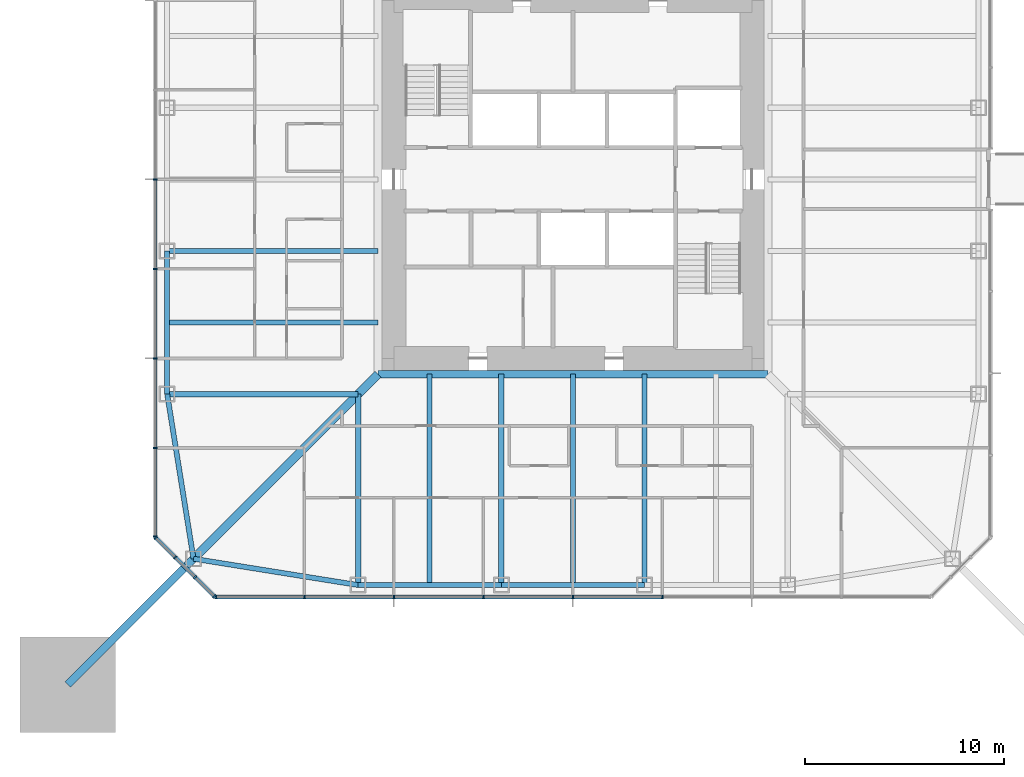
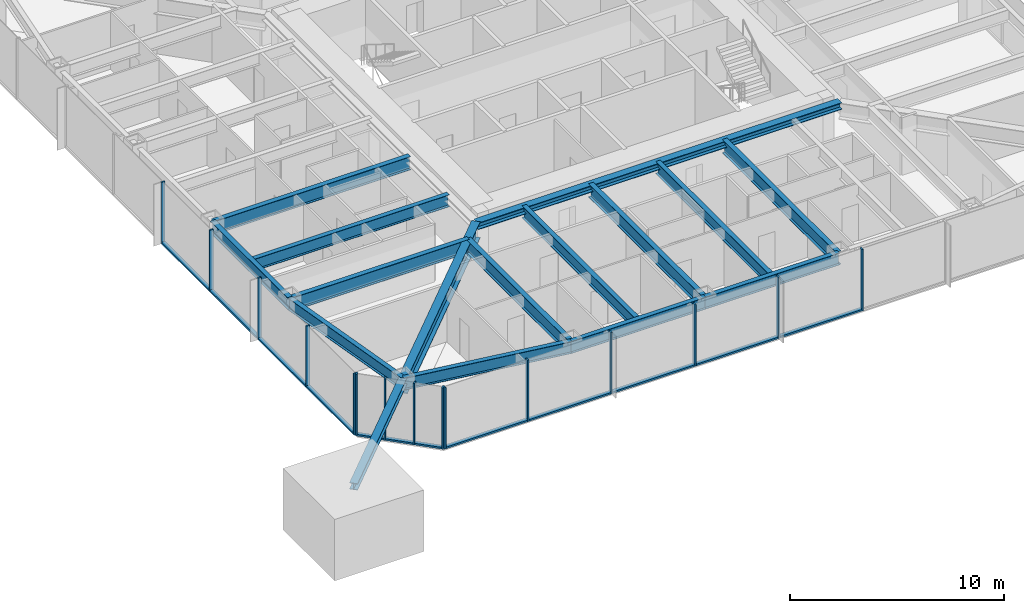
# One storey, part 3 of 23: 28 members, 15 beams, 3 elements without a shape of their own.
"""IFC4 building model written with IfcOpenShell, lengths in metres."""

from ifc_helpers import new_model, si_unit, direction, frame, origin, origin_2d, place, context, subcontext, project, spatial, rectangle, i_section, extrude, material, material_profile, profile_set, type_object, element, aggregate, save


model = new_model("IFC4")

# Units and contexts
model_context = context("Model", 3, precision=1e-05, world=origin(), true_north=direction((0.0, 1.0)))
body_context = subcontext(model_context, "Body", "Model", "MODEL_VIEW")
ifc_project = project(units=[si_unit("LENGTHUNIT", "METRE"), si_unit("AREAUNIT", "SQUARE_METRE"), si_unit("VOLUMEUNIT", "CUBIC_METRE"), si_unit("PLANEANGLEUNIT", "RADIAN"), si_unit("MASSUNIT", "GRAM", prefix="KILO")], contexts=[model_context])

# Site, building, storey
site_placement = place(None, origin())
site = spatial("IfcSite", under=ifc_project, at=site_placement, CompositionType="ELEMENT")
building_placement = place(site_placement, origin())
building = spatial("IfcBuilding", under=site, at=building_placement, Name="Iwan Alto Co-Living Towers", CompositionType="ELEMENT")
storey_placement = place(building_placement, frame((0.0, 0.0, 129.5)))
storey = spatial("IfcBuildingStorey", under=building, at=storey_placement, Name="L35", CompositionType="ELEMENT", Elevation=129.5)

# Curtain wall, members
ifc_material_1 = material(Name="Bronze aluminium unitised frame", Category="aluminium")
curtain_wall_type_1 = type_object("IfcCurtainWallType", Name="CURTAIN WALL CW-A", PredefinedType="NOTDEFINED", material=ifc_material_1)
curtain_wall_1_placement = place(storey_placement, origin())
curtain_wall_1 = element("IfcCurtainWall", 1, at=curtain_wall_1_placement, inside=storey, type_object=curtain_wall_type_1, Name="T1 curtain wall S L35", PredefinedType="NOTDEFINED")
ifc_material_2 = material(Name="Aluminium 6063-T6 bronze anodised", Category="aluminium")
ifc_material_profile_1 = material_profile(ifc_material_2, rectangle(XDim=0.199951171875, YDim=0.080078125, at=origin_2d()), Name="AL 80X200")
ifc_profile_set_1 = profile_set([ifc_material_profile_1], Name="Aluminium 6063-T6 bronze anodised")
member_type_1 = type_object("IfcMemberType", Name="CW-A MULLION 80X200", PredefinedType="MULLION", material=ifc_profile_set_1)
member_1_placement = place(storey_placement, frame((-17.9599609375, -21.0, 0.0), z_axis=(0.0, 0.0, 1.0), x_axis=(0.0, 1.0, 0.0)))
member_1 = element("IfcMember", 2, at=member_1_placement, type_object=member_type_1, Name="CW-A mullion 1", PredefinedType="MULLION", context=body_context, shape_type="SweptSolid", body=[
    extrude(rectangle(XDim=0.199951171875, YDim=0.080078125, at=origin_2d()), origin(), (0.0, 0.0, 1.0), 3.5),
])
member_2_placement = place(storey_placement, frame((-13.5, -21.0, 0.0), z_axis=(0.0, 0.0, 1.0), x_axis=(0.0, 1.0, 0.0)))
member_2 = element("IfcMember", 3, at=member_2_placement, type_object=member_type_1, Name="CW-A mullion 2", PredefinedType="MULLION", context=body_context, shape_type="SweptSolid", body=[
    extrude(rectangle(XDim=0.199951171875, YDim=0.080078125, at=origin_2d()), origin(), (0.0, 0.0, 1.0), 3.5),
])
member_3_placement = place(storey_placement, frame((-9.0, -21.0, 0.0), z_axis=(0.0, 0.0, 1.0), x_axis=(0.0, 1.0, 0.0)))
member_3 = element("IfcMember", 4, at=member_3_placement, type_object=member_type_1, Name="CW-A mullion 3", PredefinedType="MULLION", context=body_context, shape_type="SweptSolid", body=[
    extrude(rectangle(XDim=0.199951171875, YDim=0.080078125, at=origin_2d()), origin(), (0.0, 0.0, 1.0), 3.5),
])
member_4_placement = place(storey_placement, frame((-4.5, -21.0, 0.0), z_axis=(0.0, 0.0, 1.0), x_axis=(0.0, 1.0, 0.0)))
member_4 = element("IfcMember", 5, at=member_4_placement, type_object=member_type_1, Name="CW-A mullion 4", PredefinedType="MULLION", context=body_context, shape_type="SweptSolid", body=[
    extrude(rectangle(XDim=0.199951171875, YDim=0.080078125, at=origin_2d()), origin(), (0.0, 0.0, 1.0), 3.5),
])
member_5_placement = place(storey_placement, frame((0.0, -21.0, 0.0), z_axis=(0.0, 0.0, 1.0), x_axis=(0.0, 1.0, 0.0)))
member_5 = element("IfcMember", 6, at=member_5_placement, type_object=member_type_1, Name="CW-A mullion 5", PredefinedType="MULLION", context=body_context, shape_type="SweptSolid", body=[
    extrude(rectangle(XDim=0.199951171875, YDim=0.080078125, at=origin_2d()), origin(), (0.0, 0.0, 1.0), 3.5),
])
member_6_placement = place(storey_placement, frame((4.5, -21.0, 0.0), z_axis=(0.0, 0.0, 1.0), x_axis=(0.0, 1.0, 0.0)))
member_6 = element("IfcMember", 7, at=member_6_placement, type_object=member_type_1, Name="CW-A mullion 6", PredefinedType="MULLION", context=body_context, shape_type="SweptSolid", body=[
    extrude(rectangle(XDim=0.199951171875, YDim=0.080078125, at=origin_2d()), origin(), (0.0, 0.0, 1.0), 3.5),
])

curtain_wall_2_placement = place(storey_placement, origin())
curtain_wall_2 = element("IfcCurtainWall", 8, at=curtain_wall_2_placement, inside=storey, type_object=curtain_wall_type_1, Name="T1 curtain wall W L35", PredefinedType="NOTDEFINED")
member_7_placement = place(storey_placement, frame((-21.0, 0.0, 0.0), z_axis=(0.0, 0.0, 1.0), x_axis=(1.0, 0.0, 0.0)))
member_7 = element("IfcMember", 9, at=member_7_placement, type_object=member_type_1, Name="CW-A mullion 5", PredefinedType="MULLION", context=body_context, shape_type="SweptSolid", body=[
    extrude(rectangle(XDim=0.199951171875, YDim=0.080078125, at=origin_2d()), origin(), (0.0, 0.0, 1.0), 3.5),
])
member_8_placement = place(storey_placement, frame((-21.0, -4.5, 0.0), z_axis=(0.0, 0.0, 1.0), x_axis=(1.0, 0.0, 0.0)))
member_8 = element("IfcMember", 10, at=member_8_placement, type_object=member_type_1, Name="CW-A mullion 6", PredefinedType="MULLION", context=body_context, shape_type="SweptSolid", body=[
    extrude(rectangle(XDim=0.199951171875, YDim=0.080078125, at=origin_2d()), origin(), (0.0, 0.0, 1.0), 3.5),
])
member_9_placement = place(storey_placement, frame((-21.0, -9.0, 0.0), z_axis=(0.0, 0.0, 1.0), x_axis=(1.0, 0.0, 0.0)))
member_9 = element("IfcMember", 11, at=member_9_placement, type_object=member_type_1, Name="CW-A mullion 7", PredefinedType="MULLION", context=body_context, shape_type="SweptSolid", body=[
    extrude(rectangle(XDim=0.199951171875, YDim=0.080078125, at=origin_2d()), origin(), (0.0, 0.0, 1.0), 3.5),
])
member_10_placement = place(storey_placement, frame((-21.0, -13.5, 0.0), z_axis=(0.0, 0.0, 1.0), x_axis=(1.0, 0.0, 0.0)))
member_10 = element("IfcMember", 12, at=member_10_placement, type_object=member_type_1, Name="CW-A mullion 8", PredefinedType="MULLION", context=body_context, shape_type="SweptSolid", body=[
    extrude(rectangle(XDim=0.199951171875, YDim=0.080078125, at=origin_2d()), origin(), (0.0, 0.0, 1.0), 3.5),
])
member_11_placement = place(storey_placement, frame((-21.0, -17.9599609375, 0.0), z_axis=(0.0, 0.0, 1.0), x_axis=(1.0, 0.0, 0.0)))
member_11 = element("IfcMember", 13, at=member_11_placement, type_object=member_type_1, Name="CW-A mullion 9", PredefinedType="MULLION", context=body_context, shape_type="SweptSolid", body=[
    extrude(rectangle(XDim=0.199951171875, YDim=0.080078125, at=origin_2d()), origin(), (0.0, 0.0, 1.0), 3.5),
])

# Member
ifc_material_3 = material(Name="Aluminium 6063-T6 bronze anodised", Category="aluminium")
ifc_material_profile_2 = material_profile(ifc_material_3, rectangle(XDim=0.199951171875, YDim=0.10009765625, at=origin_2d()), Name="AL 200X100")
ifc_profile_set_2 = profile_set([ifc_material_profile_2], Name="Aluminium 6063-T6 bronze anodised")
member_type_2 = type_object("IfcMemberType", Name="CW-A TRANSOM 200X100", PredefinedType="USERDEFINED", material=ifc_profile_set_2)
member_12_placement = place(storey_placement, frame((-17.919921875, -21.0, 0.050048828125), z_axis=(1.0, 0.0, 0.0), x_axis=(0.0, 1.0, 0.0)))
member_12 = element("IfcMember", 14, at=member_12_placement, type_object=member_type_2, Name="CW-A transom 1.1", ObjectType="TRANSOM", PredefinedType="USERDEFINED", context=body_context, shape_type="SweptSolid", body=[
    extrude(rectangle(XDim=0.199951171875, YDim=0.10009765625, at=origin_2d()), origin(), (0.0, 0.0, 1.0), 4.3798828125),
])

member_13_placement = place(storey_placement, frame((-13.4599609375, -21.0, 0.050048828125), z_axis=(1.0, 0.0, 0.0), x_axis=(0.0, 1.0, 0.0)))
member_13 = element("IfcMember", 15, at=member_13_placement, type_object=member_type_2, Name="CW-A transom 2.1", ObjectType="TRANSOM", PredefinedType="USERDEFINED", context=body_context, shape_type="SweptSolid", body=[
    extrude(rectangle(XDim=0.199951171875, YDim=0.10009765625, at=origin_2d()), origin(), (0.0, 0.0, 1.0), 4.419921875),
])

member_14_placement = place(storey_placement, frame((-8.9599609375, -21.0, 0.050048828125), z_axis=(1.0, 0.0, 0.0), x_axis=(0.0, 1.0, 0.0)))
member_14 = element("IfcMember", 16, at=member_14_placement, type_object=member_type_2, Name="CW-A transom 3.1", ObjectType="TRANSOM", PredefinedType="USERDEFINED", context=body_context, shape_type="SweptSolid", body=[
    extrude(rectangle(XDim=0.199951171875, YDim=0.10009765625, at=origin_2d()), origin(), (0.0, 0.0, 1.0), 4.419921875),
])

member_15_placement = place(storey_placement, frame((-4.4599609375, -21.0, 0.050048828125), z_axis=(1.0, 0.0, 0.0), x_axis=(0.0, 1.0, 0.0)))
member_15 = element("IfcMember", 17, at=member_15_placement, type_object=member_type_2, Name="CW-A transom 4.1", ObjectType="TRANSOM", PredefinedType="USERDEFINED", context=body_context, shape_type="SweptSolid", body=[
    extrude(rectangle(XDim=0.199951171875, YDim=0.10009765625, at=origin_2d()), origin(), (0.0, 0.0, 1.0), 4.419921875),
])

member_16_placement = place(storey_placement, frame((0.0400390625, -21.0, 0.050048828125), z_axis=(1.0, 0.0, 0.0), x_axis=(0.0, 1.0, 0.0)))
member_16 = element("IfcMember", 18, at=member_16_placement, type_object=member_type_2, Name="CW-A transom 5.1", ObjectType="TRANSOM", PredefinedType="USERDEFINED", context=body_context, shape_type="SweptSolid", body=[
    extrude(rectangle(XDim=0.199951171875, YDim=0.10009765625, at=origin_2d()), origin(), (0.0, 0.0, 1.0), 4.419921875),
])

aggregate(curtain_wall_1, [member_1, member_2, member_3, member_4, member_5, member_6, member_12, member_13, member_14, member_15, member_16])

member_17_placement = place(storey_placement, frame((-21.0, -0.0400390625, 0.050048828125), z_axis=(0.0, -1.0, 0.0), x_axis=(1.0, 0.0, 0.0)))
member_17 = element("IfcMember", 19, at=member_17_placement, type_object=member_type_2, Name="CW-A transom 5.1", ObjectType="TRANSOM", PredefinedType="USERDEFINED", context=body_context, shape_type="SweptSolid", body=[
    extrude(rectangle(XDim=0.199951171875, YDim=0.10009765625, at=origin_2d()), origin(), (0.0, 0.0, 1.0), 4.419921875),
])

member_18_placement = place(storey_placement, frame((-21.0, -4.5400390625, 0.050048828125), z_axis=(0.0, -1.0, 0.0), x_axis=(1.0, 0.0, 0.0)))
member_18 = element("IfcMember", 20, at=member_18_placement, type_object=member_type_2, Name="CW-A transom 6.1", ObjectType="TRANSOM", PredefinedType="USERDEFINED", context=body_context, shape_type="SweptSolid", body=[
    extrude(rectangle(XDim=0.199951171875, YDim=0.10009765625, at=origin_2d()), origin(), (0.0, 0.0, 1.0), 4.419921875),
])

member_19_placement = place(storey_placement, frame((-21.0, -9.0400390625, 0.050048828125), z_axis=(0.0, -1.0, 0.0), x_axis=(1.0, 0.0, 0.0)))
member_19 = element("IfcMember", 21, at=member_19_placement, type_object=member_type_2, Name="CW-A transom 7.1", ObjectType="TRANSOM", PredefinedType="USERDEFINED", context=body_context, shape_type="SweptSolid", body=[
    extrude(rectangle(XDim=0.199951171875, YDim=0.10009765625, at=origin_2d()), origin(), (0.0, 0.0, 1.0), 4.419921875),
])

member_20_placement = place(storey_placement, frame((-21.0, -13.5400390625, 0.050048828125), z_axis=(0.0, -1.0, 0.0), x_axis=(1.0, 0.0, 0.0)))
member_20 = element("IfcMember", 22, at=member_20_placement, type_object=member_type_2, Name="CW-A transom 8.1", ObjectType="TRANSOM", PredefinedType="USERDEFINED", context=body_context, shape_type="SweptSolid", body=[
    extrude(rectangle(XDim=0.199951171875, YDim=0.10009765625, at=origin_2d()), origin(), (0.0, 0.0, 1.0), 4.3798828125),
])

aggregate(curtain_wall_2, [member_7, member_8, member_9, member_10, member_11, member_17, member_18, member_19, member_20])

# Curtain wall, members
ifc_material_4 = material(Name="Bronze aluminium unitised frame", Category="aluminium")
curtain_wall_type_2 = type_object("IfcCurtainWallType", Name="CURTAIN WALL CW-B", PredefinedType="NOTDEFINED", material=ifc_material_4)
curtain_wall_3_placement = place(storey_placement, origin())
curtain_wall_3 = element("IfcCurtainWall", 23, at=curtain_wall_3_placement, inside=storey, type_object=curtain_wall_type_2, Name="T1 chamfer curtain wall SW L35", PredefinedType="NOTDEFINED")
ifc_material_5 = material(Name="Aluminium 6063-T6 bronze anodised", Category="aluminium")
ifc_material_profile_3 = material_profile(ifc_material_5, rectangle(XDim=0.199951171875, YDim=0.080078125, at=origin_2d()), Name="AL 80X200")
ifc_profile_set_3 = profile_set([ifc_material_profile_3], Name="Aluminium 6063-T6 bronze anodised")
member_type_3 = type_object("IfcMemberType", Name="CW-B MULLION 80X200", PredefinedType="MULLION", material=ifc_profile_set_3)
member_21_placement = place(storey_placement, frame((-20.9716796875, -18.0283203125, 0.0), z_axis=(0.0, 0.0, 1.0), x_axis=(0.707106781187, 0.707106781187, 0.0)))
member_21 = element("IfcMember", 24, at=member_21_placement, type_object=member_type_3, Name="CW-B mullion 1", PredefinedType="MULLION", context=body_context, shape_type="SweptSolid", body=[
    extrude(rectangle(XDim=0.199951171875, YDim=0.080078125, at=origin_2d()), origin(), (0.0, 0.0, 1.0), 3.5),
])
member_22_placement = place(storey_placement, frame((-20.0, -19.0, 0.0), z_axis=(0.0, 0.0, 1.0), x_axis=(0.707106781187, 0.707106781187, 0.0)))
member_22 = element("IfcMember", 25, at=member_22_placement, type_object=member_type_3, Name="CW-B mullion 2", PredefinedType="MULLION", context=body_context, shape_type="SweptSolid", body=[
    extrude(rectangle(XDim=0.199951171875, YDim=0.080078125, at=origin_2d()), origin(), (0.0, 0.0, 1.0), 3.5),
])
member_23_placement = place(storey_placement, frame((-19.0, -20.0, 0.0), z_axis=(0.0, 0.0, 1.0), x_axis=(0.707106781187, 0.707106781187, 0.0)))
member_23 = element("IfcMember", 26, at=member_23_placement, type_object=member_type_3, Name="CW-B mullion 3", PredefinedType="MULLION", context=body_context, shape_type="SweptSolid", body=[
    extrude(rectangle(XDim=0.199951171875, YDim=0.080078125, at=origin_2d()), origin(), (0.0, 0.0, 1.0), 3.5),
])
member_24_placement = place(storey_placement, frame((-18.0283203125, -20.9716796875, 0.0), z_axis=(0.0, 0.0, 1.0), x_axis=(0.707106781187, 0.707106781187, 0.0)))
member_24 = element("IfcMember", 27, at=member_24_placement, type_object=member_type_3, Name="CW-B mullion 4", PredefinedType="MULLION", context=body_context, shape_type="SweptSolid", body=[
    extrude(rectangle(XDim=0.199951171875, YDim=0.080078125, at=origin_2d()), origin(), (0.0, 0.0, 1.0), 3.5),
])
ifc_material_6 = material(Name="Aluminium 6063-T6 bronze anodised", Category="aluminium")
ifc_material_profile_4 = material_profile(ifc_material_6, rectangle(XDim=0.199951171875, YDim=0.10009765625, at=origin_2d()), Name="AL 200X100")
ifc_profile_set_4 = profile_set([ifc_material_profile_4], Name="Aluminium 6063-T6 bronze anodised")
member_type_4 = type_object("IfcMemberType", Name="CW-B TRANSOM 200X100", PredefinedType="USERDEFINED", material=ifc_profile_set_4)
member_25_placement = place(storey_placement, frame((-20.943359375, -18.056640625, 0.050048828125), z_axis=(0.707106781187, -0.707106781187, 0.0), x_axis=(0.707106781187, 0.707106781187, 0.0)))
member_25 = element("IfcMember", 28, at=member_25_placement, type_object=member_type_4, Name="CW-B transom 1.1", ObjectType="TRANSOM", PredefinedType="USERDEFINED", context=body_context, shape_type="SweptSolid", body=[
    extrude(rectangle(XDim=0.199951171875, YDim=0.10009765625, at=origin_2d()), origin(), (0.0, 0.0, 1.0), 1.2939453125),
])
member_26_placement = place(storey_placement, frame((-19.9716796875, -19.0283203125, 0.050048828125), z_axis=(0.707106781187, -0.707106781187, 0.0), x_axis=(0.707106781187, 0.707106781187, 0.0)))
member_26 = element("IfcMember", 29, at=member_26_placement, type_object=member_type_4, Name="CW-B transom 2.1", ObjectType="TRANSOM", PredefinedType="USERDEFINED", context=body_context, shape_type="SweptSolid", body=[
    extrude(rectangle(XDim=0.199951171875, YDim=0.10009765625, at=origin_2d()), origin(), (0.0, 0.0, 1.0), 1.334228515625),
])
member_27_placement = place(storey_placement, frame((-18.9716796875, -20.0283203125, 0.050048828125), z_axis=(0.707106781187, -0.707106781187, 0.0), x_axis=(0.707106781187, 0.707106781187, 0.0)))
member_27 = element("IfcMember", 30, at=member_27_placement, type_object=member_type_4, Name="CW-B transom 3.1", ObjectType="TRANSOM", PredefinedType="USERDEFINED", context=body_context, shape_type="SweptSolid", body=[
    extrude(rectangle(XDim=0.199951171875, YDim=0.10009765625, at=origin_2d()), origin(), (0.0, 0.0, 1.0), 1.2939453125),
])
aggregate(curtain_wall_3, [member_21, member_22, member_23, member_24, member_25, member_26, member_27])

# Beams
ifc_material_7 = material(Name="Steel ASTM A992 Gr 50", Category="steel")
ifc_material_profile_5 = material_profile(ifc_material_7, i_section(OverallWidth=0.398681640625, OverallDepth=0.385986328125, WebThickness=0.02099609375, FlangeThickness=0.033203125, at=origin_2d()), Name="W14X176")
ifc_profile_set_5 = profile_set([ifc_material_profile_5], Name="Steel ASTM A992 Gr 50")
beam_type_1 = type_object("IfcBeamType", Name="T1 CORE LEDGER BEAM W14X176", PredefinedType="BEAM", material=ifc_profile_set_5)
beam_1_placement = place(storey_placement, frame((-9.79931640625, -9.79931640625, 3.076904296875), z_axis=(1.0, 0.0, 0.0), x_axis=(0.0, 1.0, 0.0)))
element("IfcBeam", 31, at=beam_1_placement, inside=storey, type_object=beam_type_1, Name="T1 core ledger beam S L36", PredefinedType="BEAM", context=body_context, shape_type="SweptSolid", body=[
    extrude(i_section(OverallWidth=0.398681640625, OverallDepth=0.385986328125, WebThickness=0.02099609375, FlangeThickness=0.033203125, at=origin_2d()), origin(), (0.0, 0.0, 1.0), 19.5986328125),
])
ifc_material_8 = material(Name="Steel ASTM A992 Gr 50", Category="steel")
ifc_material_profile_6 = material_profile(ifc_material_8, i_section(OverallWidth=0.419189453125, OverallDepth=0.927001953125, WebThickness=0.019287109375, FlangeThickness=0.031982421875, at=origin_2d()), Name="W36X231")
ifc_profile_set_6 = profile_set([ifc_material_profile_6], Name="Steel ASTM A992 Gr 50")
beam_type_2 = type_object("IfcBeamType", Name="T1 CORNER GIRDER W36X231", PredefinedType="BEAM", material=ifc_profile_set_6)
beam_2_placement = place(storey_placement, frame((-19.07568359375, -19.07568359375, 2.806396484375), z_axis=(0.707106781187, 0.707106781187, 0.0), x_axis=(-0.707106781187, 0.707106781187, 0.0)))
element("IfcBeam", 32, at=beam_2_placement, inside=storey, type_object=beam_type_2, Name="T1 corner girder CSW L36", PredefinedType="BEAM", context=body_context, shape_type="SweptSolid", body=[
    extrude(i_section(OverallWidth=0.419189453125, OverallDepth=0.927001953125, WebThickness=0.019287109375, FlangeThickness=0.031982421875, at=origin_2d()), origin(), (0.0, 0.0, 1.0), 13.11865234375),
])
ifc_material_9 = material(Name="Steel ASTM A992 Gr 50", Category="steel")
ifc_material_profile_7 = material_profile(ifc_material_9, i_section(OverallWidth=0.25390625, OverallDepth=0.683349609375, WebThickness=0.012451171875, FlangeThickness=0.018798828125, at=origin_2d()), Name="W27X94")
ifc_profile_set_7 = profile_set([ifc_material_profile_7], Name="Steel ASTM A992 Gr 50")
beam_type_3 = type_object("IfcBeamType", Name="T1 EDGE BEAM W27X94", PredefinedType="BEAM", material=ifc_profile_set_7)
beam_3_placement = place(storey_placement, frame((-19.07568359375, -19.07568359375, 2.928466796875), z_axis=(0.987438450439, -0.158004134737, 0.0), x_axis=(0.158004134737, 0.987438450439, 0.0)))
element("IfcBeam", 33, at=beam_3_placement, inside=storey, type_object=beam_type_3, Name="T1 edge beam CSW L36", PredefinedType="BEAM", context=body_context, shape_type="SweptSolid", body=[
    extrude(i_section(OverallWidth=0.25390625, OverallDepth=0.683349609375, WebThickness=0.012451171875, FlangeThickness=0.018798828125, at=origin_2d()), origin(), (0.0, 0.0, 1.0), 8.380859375),
])
beam_4_placement = place(storey_placement, frame((-10.800048828125, -20.39990234375, 2.928466796875), z_axis=(1.0, 0.0, 0.0), x_axis=(0.0, 1.0, 0.0)))
element("IfcBeam", 34, at=beam_4_placement, inside=storey, type_object=beam_type_3, Name="T1 edge beam S1 L36", PredefinedType="BEAM", context=body_context, shape_type="SweptSolid", body=[
    extrude(i_section(OverallWidth=0.25390625, OverallDepth=0.683349609375, WebThickness=0.012451171875, FlangeThickness=0.018798828125, at=origin_2d()), origin(), (0.0, 0.0, 1.0), 7.199951171875),
])
beam_5_placement = place(storey_placement, frame((-3.60009765625, -20.39990234375, 2.928466796875), z_axis=(1.0, 0.0, 0.0), x_axis=(0.0, 1.0, 0.0)))
element("IfcBeam", 35, at=beam_5_placement, inside=storey, type_object=beam_type_3, Name="T1 edge beam S2 L36", PredefinedType="BEAM", context=body_context, shape_type="SweptSolid", body=[
    extrude(i_section(OverallWidth=0.25390625, OverallDepth=0.683349609375, WebThickness=0.012451171875, FlangeThickness=0.018798828125, at=origin_2d()), origin(), (0.0, 0.0, 1.0), 7.2001953125),
])
beam_6_placement = place(storey_placement, frame((-20.39990234375, -3.60009765625, 2.928466796875), z_axis=(0.0, -1.0, 0.0), x_axis=(1.0, 0.0, 0.0)))
element("IfcBeam", 36, at=beam_6_placement, inside=storey, type_object=beam_type_3, Name="T1 edge beam W3 L36", PredefinedType="BEAM", context=body_context, shape_type="SweptSolid", body=[
    extrude(i_section(OverallWidth=0.25390625, OverallDepth=0.683349609375, WebThickness=0.012451171875, FlangeThickness=0.018798828125, at=origin_2d()), origin(), (0.0, 0.0, 1.0), 7.199951171875),
])
beam_7_placement = place(storey_placement, frame((-20.39990234375, -10.800048828125, 2.928466796875), z_axis=(0.158004134737, -0.987438450439, 0.0), x_axis=(0.987438450439, 0.158004134737, 0.0)))
element("IfcBeam", 37, at=beam_7_placement, inside=storey, type_object=beam_type_3, Name="T1 edge beam W4 L36", PredefinedType="BEAM", context=body_context, shape_type="SweptSolid", body=[
    extrude(i_section(OverallWidth=0.25390625, OverallDepth=0.683349609375, WebThickness=0.012451171875, FlangeThickness=0.018798828125, at=origin_2d()), origin(), (0.0, 0.0, 1.0), 8.380859375),
])

# Member
ifc_material_10 = material(Name="Steel ASTM A992 Gr 50", Category="steel")
ifc_material_profile_8 = material_profile(ifc_material_10, i_section(OverallWidth=0.393798828125, OverallDepth=0.3759765625, WebThickness=0.017333984375, FlangeThickness=0.027587890625, at=origin_2d()), Name="W14X145")
ifc_profile_set_8 = profile_set([ifc_material_profile_8], Name="Steel ASTM A992 Gr 50")
member_type_5 = type_object("IfcMemberType", Name="T1 MEGA COLUMN FLOOR TIE W14X145", PredefinedType="STRUT", material=ifc_profile_set_8)
member_28_placement = place(storey_placement, frame((-25.39990234375, -25.39990234375, 3.08203125), z_axis=(0.707106781187, 0.707106781187, 0.0), x_axis=(-0.707106781187, 0.707106781187, 0.0)))
element("IfcMember", 38, at=member_28_placement, inside=storey, type_object=member_type_5, Name="T1 mega column floor tie SW L36", PredefinedType="STRUT", context=body_context, shape_type="SweptSolid", body=[
    extrude(i_section(OverallWidth=0.393798828125, OverallDepth=0.3759765625, WebThickness=0.017333984375, FlangeThickness=0.027587890625, at=origin_2d()), origin(), (0.0, 0.0, 1.0), 8.94384765625),
])

# Beams
ifc_material_11 = material(Name="Steel ASTM A992 Gr 50", Category="steel")
ifc_material_profile_9 = material_profile(ifc_material_11, i_section(OverallWidth=0.2666015625, OverallDepth=0.761962890625, WebThickness=0.014404296875, FlangeThickness=0.021484375, at=origin_2d()), Name="W30X116")
ifc_profile_set_9 = profile_set([ifc_material_profile_9], Name="Steel ASTM A992 Gr 50")
beam_type_4 = type_object("IfcBeamType", Name="T1 RADIAL BEAM W30X116", PredefinedType="BEAM", material=ifc_profile_set_9)
beam_8_placement = place(storey_placement, frame((-10.800048828125, -20.39990234375, 2.888916015625), z_axis=(0.0, 1.0, 0.0), x_axis=(-1.0, 0.0, 0.0)))
element("IfcBeam", 39, at=beam_8_placement, inside=storey, type_object=beam_type_4, Name="T1 radial beam S1 L36", PredefinedType="BEAM", context=body_context, shape_type="SweptSolid", body=[
    extrude(i_section(OverallWidth=0.2666015625, OverallDepth=0.761962890625, WebThickness=0.014404296875, FlangeThickness=0.021484375, at=origin_2d()), origin(), (0.0, 0.0, 1.0), 9.599853515625),
])
for number, where, z_axis, x_axis, name in (
    (40, (-3.60009765625, -20.39990234375, 2.888916015625), (0.0, 1.0, 0.0), (-1.0, 0.0, 0.0), "T1 radial beam S2 L36"),
    (41, (3.60009765625, -20.39990234375, 2.888916015625), (0.0, 1.0, 0.0), (-1.0, 0.0, 0.0), "T1 radial beam S3 L36"),
    (42, (-20.39990234375, -3.60009765625, 2.888916015625), (1.0, 0.0, 0.0), (0.0, 1.0, 0.0), "T1 radial beam W3 L36"),
):
    element("IfcBeam", number, at=place(storey_placement, frame(where, z_axis=z_axis, x_axis=x_axis)), inside=storey, type_object=beam_type_4, Name=name, PredefinedType="BEAM", context=body_context, shape_type="SweptSolid", body=[
        extrude(i_section(OverallWidth=0.2666015625, OverallDepth=0.761962890625, WebThickness=0.014404296875, FlangeThickness=0.021484375, at=origin_2d()), origin(), (0.0, 0.0, 1.0), 10.6005859375),
    ])
beam_9_placement = place(storey_placement, frame((-20.39990234375, -10.800048828125, 2.888916015625), z_axis=(1.0, 0.0, 0.0), x_axis=(0.0, 1.0, 0.0)))
element("IfcBeam", 43, at=beam_9_placement, inside=storey, type_object=beam_type_4, Name="T1 radial beam W4 L36", PredefinedType="BEAM", context=body_context, shape_type="SweptSolid", body=[
    extrude(i_section(OverallWidth=0.2666015625, OverallDepth=0.761962890625, WebThickness=0.014404296875, FlangeThickness=0.021484375, at=origin_2d()), origin(), (0.0, 0.0, 1.0), 9.599853515625),
])
ifc_material_12 = material(Name="Steel ASTM A992 Gr 50", Category="steel")
ifc_material_profile_10 = material_profile(ifc_material_12, i_section(OverallWidth=0.25390625, OverallDepth=0.683349609375, WebThickness=0.012451171875, FlangeThickness=0.018798828125, at=origin_2d()), Name="W27X94")
ifc_profile_set_10 = profile_set([ifc_material_profile_10], Name="Steel ASTM A992 Gr 50")
beam_type_5 = type_object("IfcBeamType", Name="T1 SECONDARY BEAM W27X94", PredefinedType="JOIST", material=ifc_profile_set_10)
for number, where, z_axis, x_axis, name in (
    (44, (-7.199951171875, -20.39990234375, 2.928466796875), (0.0, 1.0, 0.0), (-1.0, 0.0, 0.0), "T1 secondary beam S1 L36"),
    (45, (0.0, -20.39990234375, 2.928466796875), (0.0, 1.0, 0.0), (-1.0, 0.0, 0.0), "T1 secondary beam S2 L36"),
    (46, (-20.39990234375, -7.199951171875, 2.928466796875), (1.0, 0.0, 0.0), (0.0, 1.0, 0.0), "T1 secondary beam W3 L36"),
):
    element("IfcBeam", number, at=place(storey_placement, frame(where, z_axis=z_axis, x_axis=x_axis)), inside=storey, type_object=beam_type_5, Name=name, PredefinedType="JOIST", context=body_context, shape_type="SweptSolid", body=[
        extrude(i_section(OverallWidth=0.25390625, OverallDepth=0.683349609375, WebThickness=0.012451171875, FlangeThickness=0.018798828125, at=origin_2d()), origin(), (0.0, 0.0, 1.0), 10.6005859375),
    ])

save(model, "model.ifc")
